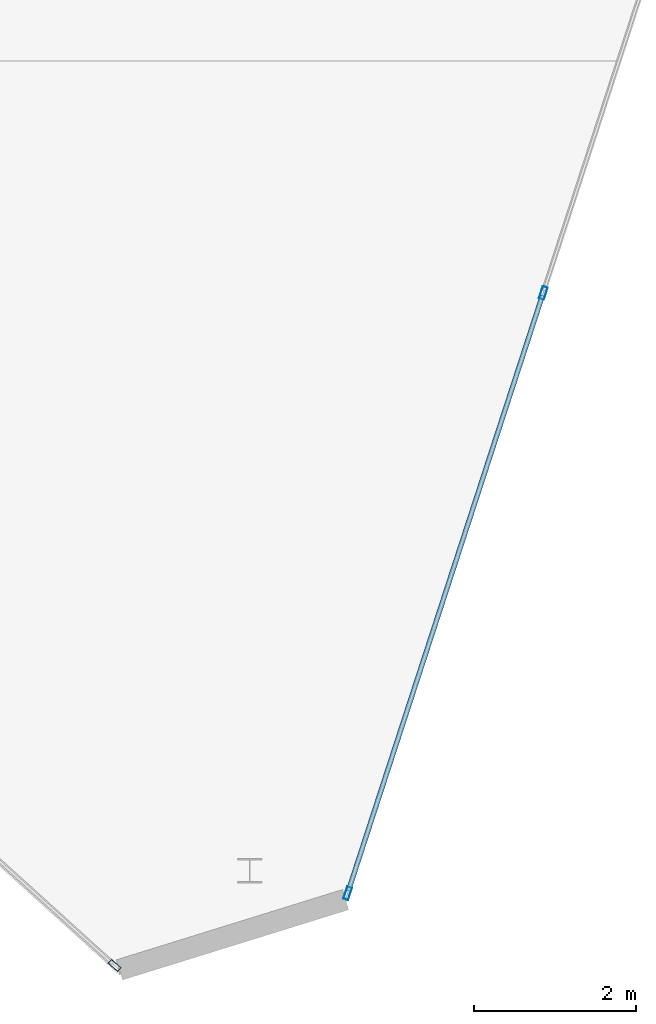
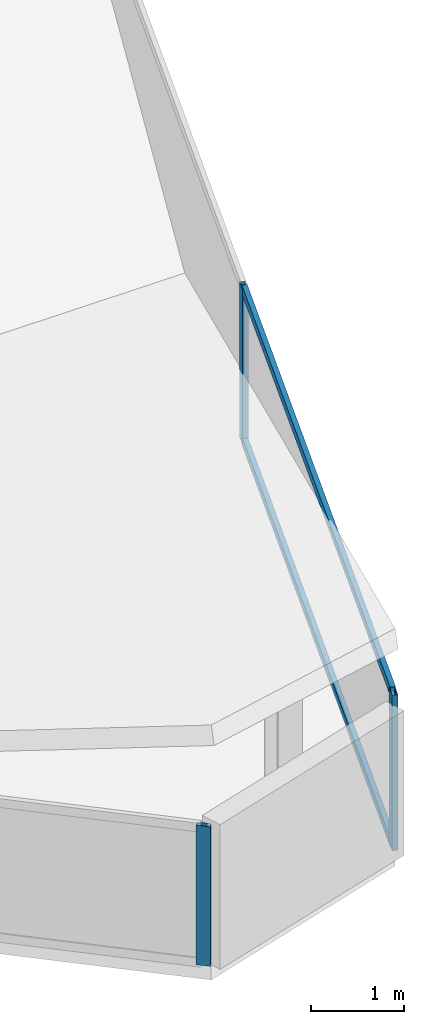
# One storey, part 5 of 13: 5 members, 2 elements without a shape of their own.
"""IFC4 building model written with IfcOpenShell, lengths in metres."""

from ifc_helpers import new_model, si_unit, direction, frame, origin, origin_2d, place, context, subcontext, project, spatial, hollow_rectangle, extrude, material, layer, layer_set, material_profile, profile_set, type_object, element, aggregate, save


model = new_model("IFC4")

# Units and contexts
model_context = context("Model", 3, precision=1e-05, world=origin(), true_north=direction((0.0, 1.0)))
body_context = subcontext(model_context, "Body", "Model", "MODEL_VIEW")
ifc_project = project(units=[si_unit("LENGTHUNIT", "METRE"), si_unit("AREAUNIT", "SQUARE_METRE"), si_unit("VOLUMEUNIT", "CUBIC_METRE"), si_unit("PLANEANGLEUNIT", "RADIAN"), si_unit("MASSUNIT", "GRAM", prefix="KILO")], contexts=[model_context])

# Site, building, storey
site_placement = place(None, origin())
site = spatial("IfcSite", under=ifc_project, at=site_placement, CompositionType="ELEMENT")
building_placement = place(site_placement, origin())
building = spatial("IfcBuilding", under=site, at=building_placement, Name="Qianvela Tower", CompositionType="ELEMENT")
storey_placement = place(building_placement, frame((0.0, 0.0, 375.050048828125)))
storey = spatial("IfcBuildingStorey", under=building, at=storey_placement, Name="L97", CompositionType="ELEMENT", Elevation=375.050048828125)

# Curtain wall, member
ifc_material_1 = material(Name="Anodised Architectural Aluminium and Low-E Glass", Category="aluminium")
ifc_layer = layer(ifc_material_1, 0.159912109375)
ifc_layer_set = layer_set([ifc_layer], Name="Anodised Architectural Aluminium and Low-E Glass")
curtain_wall_type = type_object("IfcCurtainWallType", Name="CW-CROWN", PredefinedType="USERDEFINED", material=ifc_layer_set)
curtain_wall_1_placement = place(storey_placement, origin())
curtain_wall_1 = element("IfcCurtainWall", 1, at=curtain_wall_1_placement, inside=storey, type_object=curtain_wall_type, Name="L97 CW-CROWN Curtain Wall 04", ObjectType="CURTAIN_WALL_SYSTEM", PredefinedType="USERDEFINED")
ifc_material_2 = material(Name="Anodised Architectural Aluminium 6063-T6", Category="aluminium")
ifc_material_profile_1 = material_profile(ifc_material_2, hollow_rectangle(XDim=0.06494140625, YDim=0.159912109375, WallThickness=0.0048828125, at=origin_2d()), Name="ALU-MULL-65x160")
ifc_profile_set_1 = profile_set([ifc_material_profile_1], Name="Anodised Architectural Aluminium 6063-T6")
member_type_1 = type_object("IfcMemberType", Name="CW-CROWN-MULL", PredefinedType="MULLION", material=ifc_profile_set_1)
member_1_placement = place(storey_placement, frame((38.93896484375, 8.861328125, 0.0), z_axis=(0.0, 0.0, 1.0), x_axis=(0.671200098707, 0.741276215385, 0.0)))
member_1 = element("IfcMember", 2, at=member_1_placement, type_object=member_type_1, Name="CW-8 mullion 4", PredefinedType="MULLION", context=body_context, shape_type="SweptSolid", body=[
    extrude(hollow_rectangle(XDim=0.06494140625, YDim=0.159912109375, WallThickness=0.0048828125, at=origin_2d()), origin(), (0.0, 0.0, 1.0), 1.831787109375),
])
aggregate(curtain_wall_1, [member_1])

# Curtain wall, members
curtain_wall_2_placement = place(storey_placement, origin())
curtain_wall_2 = element("IfcCurtainWall", 3, at=curtain_wall_2_placement, inside=storey, type_object=curtain_wall_type, Name="L97 CW-CROWN Curtain Wall 06", ObjectType="CURTAIN_WALL_SYSTEM", PredefinedType="USERDEFINED")
member_2_placement = place(storey_placement, frame((41.8095703125, 9.7490234375, 0.0), z_axis=(0.0, 0.0, 1.0), x_axis=(-0.950786737513, 0.30984605818, 0.0)))
member_2 = element("IfcMember", 4, at=member_2_placement, type_object=member_type_1, Name="CW-8 mullion 1", PredefinedType="MULLION", context=body_context, shape_type="SweptSolid", body=[
    extrude(hollow_rectangle(XDim=0.06494140625, YDim=0.159912109375, WallThickness=0.0048828125, at=origin_2d()), origin(), (0.0, 0.0, 1.0), 2.043701171875),
])
member_3_placement = place(storey_placement, frame((44.218505859375, 17.1416015625, 0.0), z_axis=(0.0, 0.0, 1.0), x_axis=(-0.950786737513, 0.30984605818, 0.0)))
member_3 = element("IfcMember", 5, at=member_3_placement, type_object=member_type_1, Name="CW-8 mullion 2", PredefinedType="MULLION", context=body_context, shape_type="SweptSolid", body=[
    extrude(hollow_rectangle(XDim=0.06494140625, YDim=0.159912109375, WallThickness=0.0048828125, at=origin_2d()), origin(), (0.0, 0.0, 1.0), 2.043701171875),
])
ifc_material_3 = material(Name="Anodised Architectural Aluminium 6063-T6", Category="aluminium")
ifc_material_profile_2 = material_profile(ifc_material_3, hollow_rectangle(XDim=0.06005859375, YDim=0.114990234375, WallThickness=0.00390625, at=origin_2d()), Name="ALU-TRAN-60x115")
ifc_profile_set_2 = profile_set([ifc_material_profile_2], Name="Anodised Architectural Aluminium 6063-T6")
member_type_2 = type_object("IfcMemberType", Name="CW-CROWN-TRAN", PredefinedType="USERDEFINED", material=ifc_profile_set_2)
member_4_placement = place(storey_placement, frame((41.819580078125, 9.780029296875, 0.030029296875), z_axis=(0.309846373812, 0.950786634653, 0.0), x_axis=(-0.950786634653, 0.309846373812, 0.0)))
member_4 = element("IfcMember", 6, at=member_4_placement, type_object=member_type_2, Name="CW-8 transom 1.1", ObjectType="TRANSOM", PredefinedType="USERDEFINED", context=body_context, shape_type="SweptSolid", body=[
    extrude(hollow_rectangle(XDim=0.06005859375, YDim=0.114990234375, WallThickness=0.00390625, at=origin_2d()), origin(), (0.0, 0.0, 1.0), 7.7099609375),
])
member_5_placement = place(storey_placement, frame((41.819580078125, 9.780029296875, 2.013671875), z_axis=(0.309846373812, 0.950786634653, 0.0), x_axis=(-0.950786634653, 0.309846373812, 0.0)))
member_5 = element("IfcMember", 7, at=member_5_placement, type_object=member_type_2, Name="CW-8 transom 1.2", ObjectType="TRANSOM", PredefinedType="USERDEFINED", context=body_context, shape_type="SweptSolid", body=[
    extrude(hollow_rectangle(XDim=0.06005859375, YDim=0.114990234375, WallThickness=0.00390625, at=origin_2d()), origin(), (0.0, 0.0, 1.0), 7.7099609375),
])
aggregate(curtain_wall_2, [member_2, member_3, member_4, member_5])

save(model, "model.ifc")
